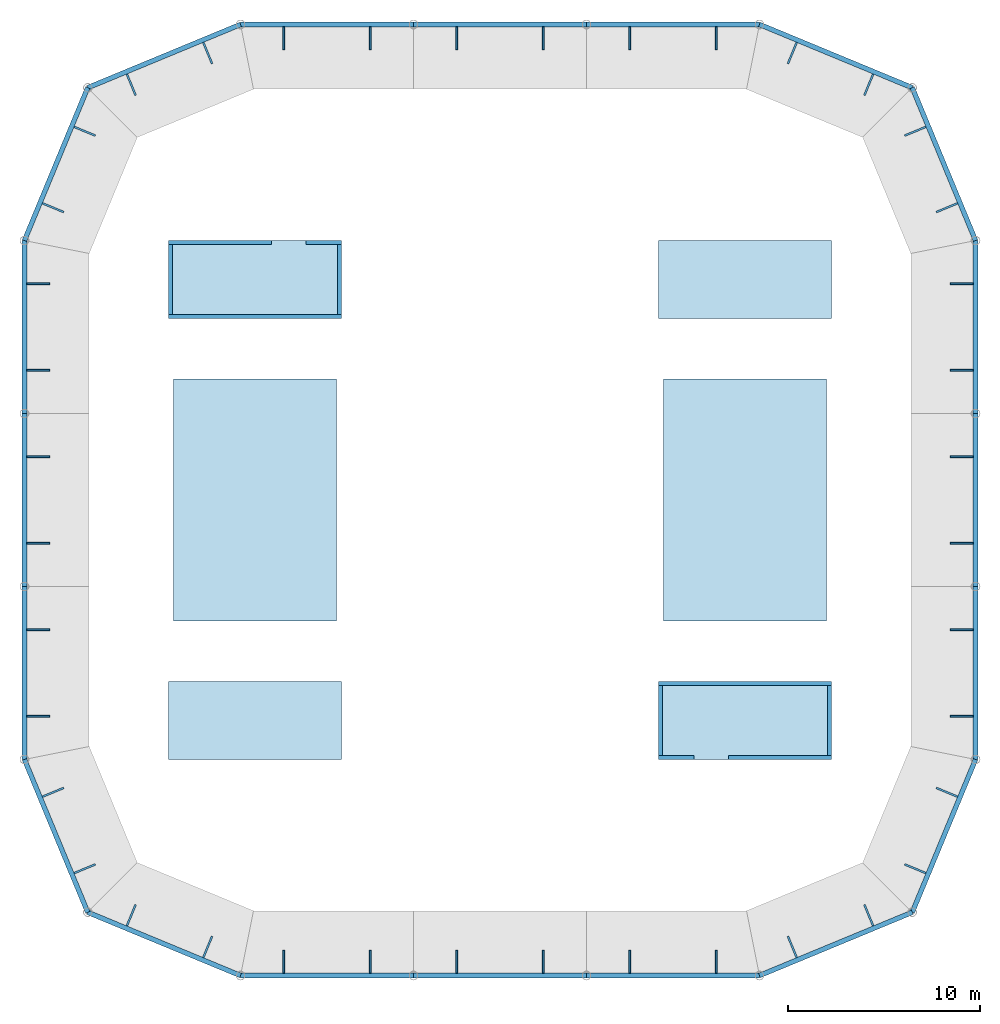
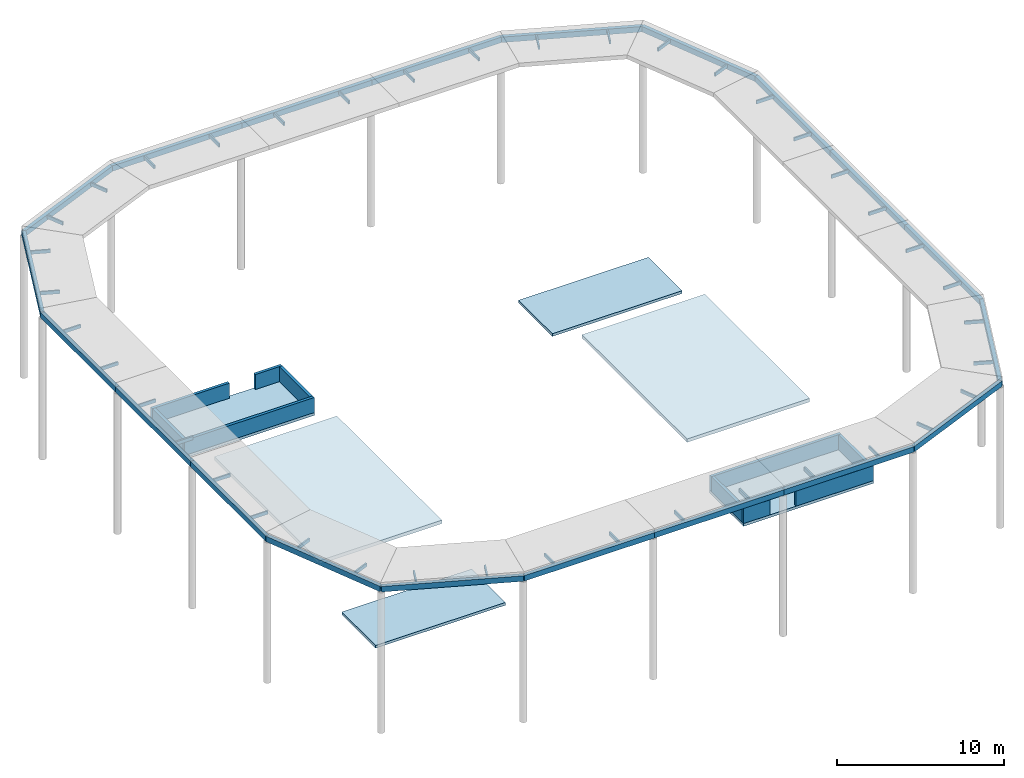
# One storey, part 3 of 4: 40 discrete accessories, 20 beams, 10 walls, 6 slabs.
"""IFC4 building model written with IfcOpenShell, lengths in metres."""

import ifcopenshell
import ifcopenshell.guid

model = None  # the IFC model being written
_history = None  # IfcOwnerHistory: only IFC2X3 demands one
_inside = {}  # id of a spatial element -> (the spatial element, [elements in it])
_under = {}  # id of a project, library or spatial element -> (it, [spatial elements below it])
_declared = {}  # id of a project -> (the project, [libraries it declares])
_typed = {}  # id of a type object -> (the type object, [elements of that type])
_made_of = {}  # id of a material, layer set ... -> (it, [elements and type objects made of it])


def new_model(schema):
    """Start an empty IFC model of exactly this schema.

    Asked for "IFC4X3", IfcOpenShell would pick the latest addendum, in which some entities
    have other attributes; the version numbers below select the first issue.
    IFC2X3 requires an IfcOwnerHistory on every rooted entity: one is made here for all.
    """
    global model, _history
    if schema == "IFC4X3":
        model = ifcopenshell.file(schema_version=(4, 3, 0, 0))
    else:
        model = ifcopenshell.file(schema=schema)
    _inside.clear()
    _under.clear()
    _declared.clear()
    _typed.clear()
    _made_of.clear()
    _history = None
    if model.schema == "IFC2X3":
        org = make("IfcOrganization", Name="unknown")
        user = make(
            "IfcPersonAndOrganization",
            ThePerson=make("IfcPerson", FamilyName="unknown"),
            TheOrganization=org,
        )
        app = make(
            "IfcApplication",
            ApplicationDeveloper=org,
            Version="unknown",
            ApplicationFullName="unknown",
            ApplicationIdentifier="unknown",
        )
        _history = make(
            "IfcOwnerHistory",
            OwningUser=user,
            OwningApplication=app,
            ChangeAction="ADDED",
            CreationDate=0,
        )
    return model


def make(cls, **values):
    """One entity of the class cls with the attributes given. An attribute that is None is left unset."""
    return model.create_entity(
        cls, **{name: value for name, value in values.items() if value is not None}
    )


def rooted(cls, **values):
    """An entity with a GlobalId (a new one), such as an element, a storey or a relation."""
    return make(cls, GlobalId=ifcopenshell.guid.new(), OwnerHistory=_history, **values)


def si_unit(unit_type, name, prefix=None):
    """IfcSIUnit, for example si_unit("LENGTHUNIT", "METRE", prefix="MILLI")."""
    return make("IfcSIUnit", UnitType=unit_type, Prefix=prefix, Name=name)


def assignment(units):
    """IfcUnitAssignment: the units of a project."""
    return None if units is None else make("IfcUnitAssignment", Units=units)


def point(xyz):
    """IfcCartesianPoint."""
    return None if xyz is None else make("IfcCartesianPoint", Coordinates=xyz)


def direction(xyz):
    """IfcDirection."""
    return None if xyz is None else make("IfcDirection", DirectionRatios=xyz)


def frame(location, z_axis=None, x_axis=None):
    """IfcAxis2Placement3D, a coordinate frame: its origin and axes. An axis left out is left unset."""
    return make(
        "IfcAxis2Placement3D",
        Location=point(location),
        Axis=direction(z_axis),
        RefDirection=direction(x_axis),
    )


def frame_2d(location, x_axis=None):
    """IfcAxis2Placement2D, a coordinate frame in the plane: its origin and x axis."""
    return make(
        "IfcAxis2Placement2D", Location=point(location), RefDirection=direction(x_axis)
    )


def origin():
    """The frame at (0, 0, 0) with its axes left unset."""
    return frame((0.0, 0.0, 0.0))


def origin_2d():
    """The frame at (0, 0) in the plane with its x axis left unset."""
    return frame_2d((0.0, 0.0))


def place(relative_to, where):
    """IfcLocalPlacement: puts the frame where relative to a parent placement (None: the world)."""
    return make(
        "IfcLocalPlacement", PlacementRelTo=relative_to, RelativePlacement=where
    )


def context(
    kind, dimensions, precision=None, world=None, true_north=None, identifier=None
):
    """IfcGeometricRepresentationContext, for example the 3D "Model" context."""
    return make(
        "IfcGeometricRepresentationContext",
        ContextIdentifier=identifier,
        ContextType=kind,
        CoordinateSpaceDimension=dimensions,
        Precision=precision,
        WorldCoordinateSystem=world,
        TrueNorth=true_north,
    )


def subcontext(parent, identifier, kind, view, scale=None):
    """IfcGeometricRepresentationSubContext, for example "Body" below "Model"."""
    return make(
        "IfcGeometricRepresentationSubContext",
        ContextIdentifier=identifier,
        ContextType=kind,
        ParentContext=parent,
        TargetScale=scale,
        TargetView=view,
    )


def project(units=None, contexts=None):
    """IfcProject with its units and contexts."""
    return rooted(
        "IfcProject",
        Name="project",
        RepresentationContexts=contexts,
        UnitsInContext=assignment(units),
    )


def spatial(cls, under=None, at=None, **own):
    """A site, building, storey or space (cls), placed at a placement, below another one or the project."""
    s = rooted(cls, ObjectPlacement=at, **own)
    if under is not None:
        _under.setdefault(under.id(), (under, []))[1].append(s)
    return s


def polyline(points):
    """IfcPolyline through the points."""
    return make("IfcPolyline", Points=[point(p) for p in points])


def profile(cls, at=None, kind="AREA", **sizes):
    """A parametric profile (cls). Its sizes go by their IFC names, for example OverallWidth=200.0."""
    return make(cls, ProfileType=kind, Position=at, **sizes)


def rectangle(**sizes):
    """IfcRectangleProfileDef."""
    return profile("IfcRectangleProfileDef", **sizes)


def hollow_rectangle(**sizes):
    """IfcRectangleHollowProfileDef."""
    return profile("IfcRectangleHollowProfileDef", **sizes)


def outline(outer, holes=None, kind="AREA"):
    """IfcArbitraryClosedProfileDef: a profile drawn as a closed curve; with holes, ...WithVoids."""
    if holes is None:
        return make("IfcArbitraryClosedProfileDef", ProfileType=kind, OuterCurve=outer)
    return make(
        "IfcArbitraryProfileDefWithVoids",
        ProfileType=kind,
        OuterCurve=outer,
        InnerCurves=holes,
    )


def extrude(swept, where, along, depth):
    """IfcExtrudedAreaSolid: the profile swept, set in the frame where, extruded along a direction by depth."""
    return make(
        "IfcExtrudedAreaSolid",
        SweptArea=swept,
        Position=where,
        ExtrudedDirection=direction(along),
        Depth=depth,
    )


def shape(context_of_items, identifier, shape_type, items):
    """IfcShapeRepresentation: the items that make up one representation, for example the "Body"."""
    return make(
        "IfcShapeRepresentation",
        ContextOfItems=context_of_items,
        RepresentationIdentifier=identifier,
        RepresentationType=shape_type,
        Items=items,
    )


def material(Name=None, Category=None):
    """IfcMaterial."""
    return make("IfcMaterial", Name=Name, Category=Category)


def layer(
    of_material, thickness, ventilated=None, Name=None, Category=None, Priority=None
):
    """IfcMaterialLayer: one layer of a wall or slab, of a material (None: an air gap)."""
    return make(
        "IfcMaterialLayer",
        Material=of_material,
        LayerThickness=thickness,
        IsVentilated=ventilated,
        Name=Name,
        Category=Category,
        Priority=Priority,
    )


def layer_set(layers, Name=None):
    """IfcMaterialLayerSet."""
    return make("IfcMaterialLayerSet", MaterialLayers=layers, LayerSetName=Name)


def material_profile(
    of_material, cross_section, Name=None, Category=None, Priority=None
):
    """IfcMaterialProfile: a cross section and its material."""
    return make(
        "IfcMaterialProfile",
        Name=Name,
        Material=of_material,
        Profile=cross_section,
        Priority=Priority,
        Category=Category,
    )


def profile_set(profiles, Name=None, composite=None):
    """IfcMaterialProfileSet."""
    return make(
        "IfcMaterialProfileSet",
        Name=Name,
        MaterialProfiles=profiles,
        CompositeProfile=composite,
    )


def made_of(thing, what):
    """Note that an element or type object is made of a material, layer set ...; save() writes the relation."""
    if what is not None:
        _made_of.setdefault(what.id(), (what, []))[1].append(thing)
    return thing


def type_object(cls, material=None, **own):
    """A type object (cls), such as IfcWallType, which elements share."""
    return made_of(rooted(cls, **own), material)


def element(
    cls,
    number,
    at=None,
    inside=None,
    cuts=None,
    type_object=None,
    material=None,
    context=None,
    identifier="Body",
    shape_type=None,
    held_by="IfcProductDefinitionShape",
    body=None,
    shapes=None,
    **own,
):
    """One element of the class cls, such as IfcWall. Its Tag is "e" and its number.

    at: its placement. inside: the storey or other place that contains it. cuts: it is an
    opening in that element (IfcRelVoidsElement). A single representation is given by context,
    identifier, shape_type and body (its items); several are given by shapes. held_by: the class
    of the entity that holds the representations. save() writes the other relations.
    """
    e = rooted(cls, Tag="e%d" % number, ObjectPlacement=at, **own)
    if body is not None:
        shapes = [shape(context, identifier, shape_type, body)]
    if shapes is not None:
        e.Representation = make(held_by, Representations=shapes)
    if inside is not None:
        _inside.setdefault(inside.id(), (inside, []))[1].append(e)
    if cuts is not None:
        rooted(
            "IfcRelVoidsElement", RelatingBuildingElement=cuts, RelatedOpeningElement=e
        )
    if type_object is not None:
        _typed.setdefault(type_object.id(), (type_object, []))[1].append(e)
    return made_of(e, material)


def aggregate(whole, parts):
    """IfcRelAggregates: a whole, such as a stair, and the parts it consists of."""
    return rooted("IfcRelAggregates", RelatingObject=whole, RelatedObjects=parts)


def save(model, path):
    """Write the relations noted so far, then the file.

    IfcRelAggregates (storeys below a building ...), IfcRelContainedInSpatialStructure (elements
    in a storey), IfcRelDefinesByType, IfcRelAssociatesMaterial and IfcRelDeclares: one each for
    every whole, place, type object, material and project.
    """
    for whole, parts in _under.values():
        aggregate(whole, parts)
    for where, things in _inside.values():
        rooted(
            "IfcRelContainedInSpatialStructure",
            RelatedElements=things,
            RelatingStructure=where,
        )
    for kind, things in _typed.values():
        rooted("IfcRelDefinesByType", RelatedObjects=things, RelatingType=kind)
    for what, things in _made_of.values():
        rooted("IfcRelAssociatesMaterial", RelatedObjects=things, RelatingMaterial=what)
    for by, libraries in _declared.values():
        rooted("IfcRelDeclares", RelatingContext=by, RelatedDefinitions=libraries)
    model.write(path)


model = new_model("IFC4")

# Units and contexts
model_context = context("Model", 3, precision=1e-05, world=origin(), true_north=direction((0.0, 1.0)))
body_context = subcontext(model_context, "Body", "Model", "MODEL_VIEW")
ifc_project = project(units=[si_unit("LENGTHUNIT", "METRE"), si_unit("AREAUNIT", "SQUARE_METRE"), si_unit("VOLUMEUNIT", "CUBIC_METRE"), si_unit("PLANEANGLEUNIT", "RADIAN"), si_unit("MASSUNIT", "GRAM", prefix="KILO")], contexts=[model_context])

# Site, building, storey
site_placement = place(None, origin())
site = spatial("IfcSite", under=ifc_project, at=site_placement, CompositionType="ELEMENT")
building_placement = place(site_placement, origin())
building = spatial("IfcBuilding", under=site, at=building_placement, Name="Siwar Civic Tower", CompositionType="ELEMENT")
storey_placement = place(building_placement, frame((0.0, 0.0, 361.199951171875)))
storey = spatial("IfcBuildingStorey", under=building, at=storey_placement, Name="UPPER ROOF", CompositionType="ELEMENT", Elevation=361.199951171875)

# Beams
ifc_material_1 = material(Name="Steel S355", Category="steel")
ifc_material_profile = material_profile(ifc_material_1, hollow_rectangle(XDim=0.25, YDim=0.39990234375, WallThickness=0.01611328125, at=origin_2d()), Name="RHS400x250x16")
ifc_profile_set = profile_set([ifc_material_profile], Name="Steel S355")
beam_type = type_object("IfcBeamType", Name="ENV-CROWN RING BEAM", PredefinedType="BEAM", material=ifc_profile_set)
for number, where, z_axis, x_axis, name in (
    (1, (-13.5, -24.75, 10.5), (1.0, 0.0, 0.0), (0.0, 1.0, 0.0), "Crown ring beam 1"),
    (2, (-4.5, -24.75, 10.5), (1.0, 0.0, 0.0), (0.0, 1.0, 0.0), "Crown ring beam 2"),
    (3, (4.5, -24.75, 10.5), (1.0, 0.0, 0.0), (0.0, 1.0, 0.0), "Crown ring beam 3"),
):
    element("IfcBeam", number, at=place(storey_placement, frame(where, z_axis=z_axis, x_axis=x_axis)), inside=storey, type_object=beam_type, Name=name, PredefinedType="BEAM", context=body_context, shape_type="SweptSolid", body=[
        extrude(hollow_rectangle(XDim=0.25, YDim=0.39990234375, WallThickness=0.01611328125, at=origin_2d()), origin(), (0.0, 0.0, 1.0), 9.0),
    ])
for number, where, z_axis, x_axis, name in (
    (4, (13.5, -24.75, 10.5), (0.923872720536, 0.382699877515, 0.0), (-0.382699877515, 0.923872720536, 0.0), "Crown ring beam 4"),
    (5, (21.454833984375, -21.454833984375, 10.5), (0.382699877515, 0.923872720536, 0.0), (-0.923872720536, 0.382699877515, 0.0), "Crown ring beam 5"),
):
    element("IfcBeam", number, at=place(storey_placement, frame(where, z_axis=z_axis, x_axis=x_axis)), inside=storey, type_object=beam_type, Name=name, PredefinedType="BEAM", context=body_context, shape_type="SweptSolid", body=[
        extrude(hollow_rectangle(XDim=0.25, YDim=0.39990234375, WallThickness=0.01611328125, at=origin_2d()), origin(), (0.0, 0.0, 1.0), 8.6103515625),
    ])
for number, where, z_axis, x_axis, name in (
    (6, (24.75, -13.5, 10.5), (0.0, 1.0, 0.0), (-1.0, 0.0, 0.0), "Crown ring beam 6"),
    (7, (24.75, -4.5, 10.5), (0.0, 1.0, 0.0), (-1.0, 0.0, 0.0), "Crown ring beam 7"),
    (8, (24.75, 4.5, 10.5), (0.0, 1.0, 0.0), (-1.0, 0.0, 0.0), "Crown ring beam 8"),
):
    element("IfcBeam", number, at=place(storey_placement, frame(where, z_axis=z_axis, x_axis=x_axis)), inside=storey, type_object=beam_type, Name=name, PredefinedType="BEAM", context=body_context, shape_type="SweptSolid", body=[
        extrude(hollow_rectangle(XDim=0.25, YDim=0.39990234375, WallThickness=0.01611328125, at=origin_2d()), origin(), (0.0, 0.0, 1.0), 9.0),
    ])
for number, where, z_axis, x_axis, name in (
    (9, (24.75, 13.5, 10.5), (-0.382699877515, 0.923872720536, 0.0), (-0.923872720536, -0.382699877515, 0.0), "Crown ring beam 9"),
    (10, (21.454833984375, 21.454833984375, 10.5), (-0.923872720536, 0.382699877515, 0.0), (-0.382699877515, -0.923872720536, 0.0), "Crown ring beam 10"),
):
    element("IfcBeam", number, at=place(storey_placement, frame(where, z_axis=z_axis, x_axis=x_axis)), inside=storey, type_object=beam_type, Name=name, PredefinedType="BEAM", context=body_context, shape_type="SweptSolid", body=[
        extrude(hollow_rectangle(XDim=0.25, YDim=0.39990234375, WallThickness=0.01611328125, at=origin_2d()), origin(), (0.0, 0.0, 1.0), 8.6103515625),
    ])
for number, where, z_axis, x_axis, name in (
    (11, (13.5, 24.75, 10.5), (-1.0, 0.0, 0.0), (0.0, -1.0, 0.0), "Crown ring beam 11"),
    (12, (4.5, 24.75, 10.5), (-1.0, 0.0, 0.0), (0.0, -1.0, 0.0), "Crown ring beam 12"),
    (13, (-4.5, 24.75, 10.5), (-1.0, 0.0, 0.0), (0.0, -1.0, 0.0), "Crown ring beam 13"),
):
    element("IfcBeam", number, at=place(storey_placement, frame(where, z_axis=z_axis, x_axis=x_axis)), inside=storey, type_object=beam_type, Name=name, PredefinedType="BEAM", context=body_context, shape_type="SweptSolid", body=[
        extrude(hollow_rectangle(XDim=0.25, YDim=0.39990234375, WallThickness=0.01611328125, at=origin_2d()), origin(), (0.0, 0.0, 1.0), 9.0),
    ])
for number, where, z_axis, x_axis, name in (
    (14, (-13.5, 24.75, 10.5), (-0.923872720536, -0.382699877515, 0.0), (0.382699877515, -0.923872720536, 0.0), "Crown ring beam 14"),
    (15, (-21.454833984375, 21.454833984375, 10.5), (-0.382699877515, -0.923872720536, 0.0), (0.923872720536, -0.382699877515, 0.0), "Crown ring beam 15"),
):
    element("IfcBeam", number, at=place(storey_placement, frame(where, z_axis=z_axis, x_axis=x_axis)), inside=storey, type_object=beam_type, Name=name, PredefinedType="BEAM", context=body_context, shape_type="SweptSolid", body=[
        extrude(hollow_rectangle(XDim=0.25, YDim=0.39990234375, WallThickness=0.01611328125, at=origin_2d()), origin(), (0.0, 0.0, 1.0), 8.6103515625),
    ])
for number, where, z_axis, x_axis, name in (
    (16, (-24.75, 13.5, 10.5), (0.0, -1.0, 0.0), (1.0, 0.0, 0.0), "Crown ring beam 16"),
    (17, (-24.75, 4.5, 10.5), (0.0, -1.0, 0.0), (1.0, 0.0, 0.0), "Crown ring beam 17"),
    (18, (-24.75, -4.5, 10.5), (0.0, -1.0, 0.0), (1.0, 0.0, 0.0), "Crown ring beam 18"),
):
    element("IfcBeam", number, at=place(storey_placement, frame(where, z_axis=z_axis, x_axis=x_axis)), inside=storey, type_object=beam_type, Name=name, PredefinedType="BEAM", context=body_context, shape_type="SweptSolid", body=[
        extrude(hollow_rectangle(XDim=0.25, YDim=0.39990234375, WallThickness=0.01611328125, at=origin_2d()), origin(), (0.0, 0.0, 1.0), 9.0),
    ])
for number, where, z_axis, x_axis, name in (
    (19, (-24.75, -13.5, 10.5), (0.382699877515, -0.923872720536, 0.0), (0.923872720536, 0.382699877515, 0.0), "Crown ring beam 19"),
    (20, (-21.454833984375, -21.454833984375, 10.5), (0.923872720536, -0.382699877515, 0.0), (0.382699877515, 0.923872720536, 0.0), "Crown ring beam 20"),
):
    element("IfcBeam", number, at=place(storey_placement, frame(where, z_axis=z_axis, x_axis=x_axis)), inside=storey, type_object=beam_type, Name=name, PredefinedType="BEAM", context=body_context, shape_type="SweptSolid", body=[
        extrude(hollow_rectangle(XDim=0.25, YDim=0.39990234375, WallThickness=0.01611328125, at=origin_2d()), origin(), (0.0, 0.0, 1.0), 8.6103515625),
    ])

# Slabs
ifc_material_2 = material(Name="Concrete C40/50", Category="concrete")
ifc_layer_1 = layer(ifc_material_2, 0.199951171875)
ifc_layer_set_1 = layer_set([ifc_layer_1], Name="Concrete C40/50")
slab_type_1 = type_object("IfcSlabType", Name="CORE-HEADHOUSE-ROOF", PredefinedType="ROOF", material=ifc_layer_set_1)
slab_1_placement = place(storey_placement, frame((0.0, 0.0, -0.199951171875)))
element("IfcSlab", 21, at=slab_1_placement, inside=storey, type_object=slab_type_1, Name="Stair head-house roof ST1", PredefinedType="ROOF", context=body_context, shape_type="SweptSolid", body=[
    extrude(outline(polyline([(-8.25, 13.5), (-17.25, 13.5), (-17.25, 9.449951171875), (-8.25, 9.449951171875), (-8.25, 13.5)])), origin(), (0.0, 0.0, 1.0), 0.199951171875),
])
slab_2_placement = place(storey_placement, frame((0.0, 0.0, -0.199951171875)))
element("IfcSlab", 22, at=slab_2_placement, inside=storey, type_object=slab_type_1, Name="Stair head-house roof ST2", PredefinedType="ROOF", context=body_context, shape_type="SweptSolid", body=[
    extrude(outline(polyline([(-8.25, -9.449951171875), (-17.25, -9.449951171875), (-17.25, -13.5), (-8.25, -13.5), (-8.25, -9.449951171875)])), origin(), (0.0, 0.0, 1.0), 0.199951171875),
])
slab_3_placement = place(storey_placement, frame((0.0, 0.0, -0.199951171875)))
element("IfcSlab", 23, at=slab_3_placement, inside=storey, type_object=slab_type_1, Name="Stair head-house roof ST3", PredefinedType="ROOF", context=body_context, shape_type="SweptSolid", body=[
    extrude(outline(polyline([(8.25, 9.449951171875), (17.25, 9.449951171875), (17.25, 13.5), (8.25, 13.5), (8.25, 9.449951171875)])), origin(), (0.0, 0.0, 1.0), 0.199951171875),
])
slab_4_placement = place(storey_placement, frame((0.0, 0.0, -0.199951171875)))
element("IfcSlab", 24, at=slab_4_placement, inside=storey, type_object=slab_type_1, Name="Stair head-house roof ST4", PredefinedType="ROOF", context=body_context, shape_type="SweptSolid", body=[
    extrude(outline(polyline([(8.25, -13.5), (17.25, -13.5), (17.25, -9.449951171875), (8.25, -9.449951171875), (8.25, -13.5)])), origin(), (0.0, 0.0, 1.0), 0.199951171875),
])
ifc_material_3 = material(Name="Concrete C40/50", Category="concrete")
ifc_layer_2 = layer(ifc_material_3, 0.25)
ifc_layer_set_2 = layer_set([ifc_layer_2], Name="Concrete C40/50")
slab_type_2 = type_object("IfcSlabType", Name="ENV-PLANT ROOF 250", PredefinedType="ROOF", material=ifc_layer_set_2)
slab_5_placement = place(storey_placement, frame((0.0, 0.0, 1.5)))
element("IfcSlab", 25, at=slab_5_placement, inside=storey, type_object=slab_type_2, Name="Roof plant roof W", PredefinedType="ROOF", context=body_context, shape_type="SweptSolid", body=[
    extrude(outline(polyline([(-17.0, -6.300048828125), (-8.5, -6.300048828125), (-8.5, 6.300048828125), (-17.0, 6.300048828125), (-17.0, -6.300048828125)])), origin(), (0.0, 0.0, 1.0), 0.25),
])
slab_6_placement = place(storey_placement, frame((0.0, 0.0, 1.5)))
element("IfcSlab", 26, at=slab_6_placement, inside=storey, type_object=slab_type_2, Name="Roof plant roof E", PredefinedType="ROOF", context=body_context, shape_type="SweptSolid", body=[
    extrude(outline(polyline([(8.5, -6.300048828125), (17.0, -6.300048828125), (17.0, 6.300048828125), (8.5, 6.300048828125), (8.5, -6.300048828125)])), origin(), (0.0, 0.0, 1.0), 0.25),
])

# Walls
ifc_material_4 = material(Name="Aluminium clad insulated panel", Category="aluminium")
ifc_layer_3 = layer(ifc_material_4, 0.199951171875)
ifc_layer_set_3 = layer_set([ifc_layer_3], Name="Aluminium clad insulated panel")
wall_type = type_object("IfcWallType", Name="CORE-HEADHOUSE-PARAPET", PredefinedType="PARAPET", material=ifc_layer_set_3)
wall_1_placement = place(storey_placement, frame((-8.25, 9.550048828125, 0.0), z_axis=(0.0, 0.0, 1.0), x_axis=(-1.0, 0.0, 0.0)))
element("IfcWall", 27, at=wall_1_placement, inside=storey, type_object=wall_type, Name="Parapet RS1", PredefinedType="PARAPET", context=body_context, shape_type="SweptSolid", body=[
    extrude(rectangle(XDim=9.0, YDim=0.199951171875, at=frame_2d((4.5, 0.0))), origin(), (0.0, 0.0, 1.0), 1.10009765625),
])
wall_2_placement = place(storey_placement, frame((-8.25, 13.39990234375, 0.0), z_axis=(0.0, 0.0, 1.0), x_axis=(-1.0, 0.0, 0.0)))
element("IfcWall", 28, at=wall_2_placement, inside=storey, type_object=wall_type, Name="Parapet RS1", PredefinedType="PARAPET", context=body_context, shape_type="SweptSolid", body=[
    extrude(rectangle(XDim=1.85009765625, YDim=0.199951171875, at=frame_2d((0.925048828125, 0.0))), origin(), (0.0, 0.0, 1.0), 1.10009765625),
])
wall_3_placement = place(storey_placement, frame((-11.89990234375, 13.39990234375, 0.0), z_axis=(0.0, 0.0, 1.0), x_axis=(-1.0, 0.0, 0.0)))
element("IfcWall", 29, at=wall_3_placement, inside=storey, type_object=wall_type, Name="Parapet RS1", PredefinedType="PARAPET", context=body_context, shape_type="SweptSolid", body=[
    extrude(rectangle(XDim=5.35009765625, YDim=0.199951171875, at=frame_2d((2.675048828125, 0.0))), origin(), (0.0, 0.0, 1.0), 1.10009765625),
])
for number, where, z_axis, x_axis, name in (
    (30, (-8.35009765625, 9.64990234375, 0.0), (0.0, 0.0, 1.0), (0.0, 1.0, 0.0), "Parapet RS1"),
    (31, (-17.14990234375, 9.64990234375, 0.0), (0.0, 0.0, 1.0), (0.0, 1.0, 0.0), "Parapet RS1"),
):
    element("IfcWall", number, at=place(storey_placement, frame(where, z_axis=z_axis, x_axis=x_axis)), inside=storey, type_object=wall_type, Name=name, PredefinedType="PARAPET", context=body_context, shape_type="SweptSolid", body=[
        extrude(rectangle(XDim=3.650146484375, YDim=0.199951171875, at=frame_2d((1.8251953125, 0.0))), origin(), (0.0, 0.0, 1.0), 1.10009765625),
    ])
wall_4_placement = place(storey_placement, frame((8.25, -9.550048828125, 0.0), z_axis=(0.0, 0.0, 1.0), x_axis=(1.0, 0.0, 0.0)))
element("IfcWall", 32, at=wall_4_placement, inside=storey, type_object=wall_type, Name="Parapet RS2", PredefinedType="PARAPET", context=body_context, shape_type="SweptSolid", body=[
    extrude(rectangle(XDim=9.0, YDim=0.199951171875, at=frame_2d((4.5, 0.0))), origin(), (0.0, 0.0, 1.0), 1.10009765625),
])
wall_5_placement = place(storey_placement, frame((8.25, -13.39990234375, 0.0), z_axis=(0.0, 0.0, 1.0), x_axis=(1.0, 0.0, 0.0)))
element("IfcWall", 33, at=wall_5_placement, inside=storey, type_object=wall_type, Name="Parapet RS2", PredefinedType="PARAPET", context=body_context, shape_type="SweptSolid", body=[
    extrude(rectangle(XDim=1.85009765625, YDim=0.199951171875, at=frame_2d((0.925048828125, 0.0))), origin(), (0.0, 0.0, 1.0), 1.10009765625),
])
wall_6_placement = place(storey_placement, frame((11.89990234375, -13.39990234375, 0.0), z_axis=(0.0, 0.0, 1.0), x_axis=(1.0, 0.0, 0.0)))
element("IfcWall", 34, at=wall_6_placement, inside=storey, type_object=wall_type, Name="Parapet RS2", PredefinedType="PARAPET", context=body_context, shape_type="SweptSolid", body=[
    extrude(rectangle(XDim=5.35009765625, YDim=0.199951171875, at=frame_2d((2.675048828125, 0.0))), origin(), (0.0, 0.0, 1.0), 1.10009765625),
])
for number, where, z_axis, x_axis, name in (
    (35, (8.35009765625, -9.64990234375, 0.0), (0.0, 0.0, 1.0), (0.0, -1.0, 0.0), "Parapet RS2"),
    (36, (17.14990234375, -9.64990234375, 0.0), (0.0, 0.0, 1.0), (0.0, -1.0, 0.0), "Parapet RS2"),
):
    element("IfcWall", number, at=place(storey_placement, frame(where, z_axis=z_axis, x_axis=x_axis)), inside=storey, type_object=wall_type, Name=name, PredefinedType="PARAPET", context=body_context, shape_type="SweptSolid", body=[
        extrude(rectangle(XDim=3.650146484375, YDim=0.199951171875, at=frame_2d((1.8251953125, 0.0))), origin(), (0.0, 0.0, 1.0), 1.10009765625),
    ])

# Discrete accessories
ifc_material_5 = material(Name="Stainless steel 316", Category="steel")
discrete_accessory_type = type_object("IfcDiscreteAccessoryType", Name="ENV-BRACKET", PredefinedType="BRACKET", material=ifc_material_5)
for number, where, z_axis, x_axis, name in (
    (37, (-11.25, -24.02490234375, 10.449951171875), (0.0, 0.0, 1.0), (1.0, 0.0, 0.0), "Bracket canopy rim 1.1"),
    (38, (-6.75, -24.02490234375, 10.449951171875), (0.0, 0.0, 1.0), (1.0, 0.0, 0.0), "Bracket canopy rim 1.2"),
    (39, (-2.25, -24.02490234375, 10.449951171875), (0.0, 0.0, 1.0), (1.0, 0.0, 0.0), "Bracket canopy rim 2.1"),
    (40, (2.25, -24.02490234375, 10.449951171875), (0.0, 0.0, 1.0), (1.0, 0.0, 0.0), "Bracket canopy rim 2.2"),
    (41, (6.75, -24.02490234375, 10.449951171875), (0.0, 0.0, 1.0), (1.0, 0.0, 0.0), "Bracket canopy rim 3.1"),
    (42, (11.25, -24.02490234375, 10.449951171875), (0.0, 0.0, 1.0), (1.0, 0.0, 0.0), "Bracket canopy rim 3.2"),
    (43, (15.211181640625, -23.25634765625, 10.449951171875), (0.0, 0.0, 1.0), (0.923879515767, 0.38268347279, 0.0), "Bracket canopy rim 4.1"),
    (44, (19.188720703125, -21.60888671875, 10.449951171875), (0.0, 0.0, 1.0), (0.923879515767, 0.38268347279, 0.0), "Bracket canopy rim 4.2"),
    (45, (21.60888671875, -19.188720703125, 10.449951171875), (0.0, 0.0, 1.0), (0.38268347279, 0.923879515767, 0.0), "Bracket canopy rim 5.1"),
    (46, (23.25634765625, -15.211181640625, 10.449951171875), (0.0, 0.0, 1.0), (0.38268347279, 0.923879515767, 0.0), "Bracket canopy rim 5.2"),
    (47, (24.02490234375, -11.25, 10.449951171875), (0.0, 0.0, 1.0), (0.0, 1.0, 0.0), "Bracket canopy rim 6.1"),
    (48, (24.02490234375, -6.75, 10.449951171875), (0.0, 0.0, 1.0), (0.0, 1.0, 0.0), "Bracket canopy rim 6.2"),
    (49, (24.02490234375, -2.25, 10.449951171875), (0.0, 0.0, 1.0), (0.0, 1.0, 0.0), "Bracket canopy rim 7.1"),
    (50, (24.02490234375, 2.25, 10.449951171875), (0.0, 0.0, 1.0), (0.0, 1.0, 0.0), "Bracket canopy rim 7.2"),
    (51, (24.02490234375, 6.75, 10.449951171875), (0.0, 0.0, 1.0), (0.0, 1.0, 0.0), "Bracket canopy rim 8.1"),
    (52, (24.02490234375, 11.25, 10.449951171875), (0.0, 0.0, 1.0), (0.0, 1.0, 0.0), "Bracket canopy rim 8.2"),
    (53, (23.25634765625, 15.211181640625, 10.449951171875), (0.0, 0.0, 1.0), (-0.38268347279, 0.923879515767, 0.0), "Bracket canopy rim 9.1"),
    (54, (21.60888671875, 19.188720703125, 10.449951171875), (0.0, 0.0, 1.0), (-0.38268347279, 0.923879515767, 0.0), "Bracket canopy rim 9.2"),
    (55, (19.188720703125, 21.60888671875, 10.449951171875), (0.0, 0.0, 1.0), (-0.923879515767, 0.38268347279, 0.0), "Bracket canopy rim 10.1"),
    (56, (15.211181640625, 23.25634765625, 10.449951171875), (0.0, 0.0, 1.0), (-0.923879515767, 0.38268347279, 0.0), "Bracket canopy rim 10.2"),
    (57, (11.25, 24.02490234375, 10.449951171875), (0.0, 0.0, 1.0), (-1.0, 0.0, 0.0), "Bracket canopy rim 11.1"),
    (58, (6.75, 24.02490234375, 10.449951171875), (0.0, 0.0, 1.0), (-1.0, 0.0, 0.0), "Bracket canopy rim 11.2"),
    (59, (2.25, 24.02490234375, 10.449951171875), (0.0, 0.0, 1.0), (-1.0, 0.0, 0.0), "Bracket canopy rim 12.1"),
    (60, (-2.25, 24.02490234375, 10.449951171875), (0.0, 0.0, 1.0), (-1.0, 0.0, 0.0), "Bracket canopy rim 12.2"),
    (61, (-6.75, 24.02490234375, 10.449951171875), (0.0, 0.0, 1.0), (-1.0, 0.0, 0.0), "Bracket canopy rim 13.1"),
    (62, (-11.25, 24.02490234375, 10.449951171875), (0.0, 0.0, 1.0), (-1.0, 0.0, 0.0), "Bracket canopy rim 13.2"),
    (63, (-15.211181640625, 23.25634765625, 10.449951171875), (0.0, 0.0, 1.0), (-0.923879515767, -0.38268347279, 0.0), "Bracket canopy rim 14.1"),
    (64, (-19.188720703125, 21.60888671875, 10.449951171875), (0.0, 0.0, 1.0), (-0.923879515767, -0.38268347279, 0.0), "Bracket canopy rim 14.2"),
    (65, (-21.60888671875, 19.188720703125, 10.449951171875), (0.0, 0.0, 1.0), (-0.38268347279, -0.923879515767, 0.0), "Bracket canopy rim 15.1"),
    (66, (-23.25634765625, 15.211181640625, 10.449951171875), (0.0, 0.0, 1.0), (-0.38268347279, -0.923879515767, 0.0), "Bracket canopy rim 15.2"),
    (67, (-24.02490234375, 11.25, 10.449951171875), (0.0, 0.0, 1.0), (0.0, -1.0, 0.0), "Bracket canopy rim 16.1"),
    (68, (-24.02490234375, 6.75, 10.449951171875), (0.0, 0.0, 1.0), (0.0, -1.0, 0.0), "Bracket canopy rim 16.2"),
    (69, (-24.02490234375, 2.25, 10.449951171875), (0.0, 0.0, 1.0), (0.0, -1.0, 0.0), "Bracket canopy rim 17.1"),
    (70, (-24.02490234375, -2.25, 10.449951171875), (0.0, 0.0, 1.0), (0.0, -1.0, 0.0), "Bracket canopy rim 17.2"),
    (71, (-24.02490234375, -6.75, 10.449951171875), (0.0, 0.0, 1.0), (0.0, -1.0, 0.0), "Bracket canopy rim 18.1"),
    (72, (-24.02490234375, -11.25, 10.449951171875), (0.0, 0.0, 1.0), (0.0, -1.0, 0.0), "Bracket canopy rim 18.2"),
    (73, (-23.25634765625, -15.211181640625, 10.449951171875), (0.0, 0.0, 1.0), (0.38268347279, -0.923879515767, 0.0), "Bracket canopy rim 19.1"),
    (74, (-21.60888671875, -19.188720703125, 10.449951171875), (0.0, 0.0, 1.0), (0.38268347279, -0.923879515767, 0.0), "Bracket canopy rim 19.2"),
    (75, (-19.188720703125, -21.60888671875, 10.449951171875), (0.0, 0.0, 1.0), (0.923879515767, -0.38268347279, 0.0), "Bracket canopy rim 20.1"),
    (76, (-15.211181640625, -23.25634765625, 10.449951171875), (0.0, 0.0, 1.0), (0.923879515767, -0.38268347279, 0.0), "Bracket canopy rim 20.2"),
):
    element("IfcDiscreteAccessory", number, at=place(storey_placement, frame(where, z_axis=z_axis, x_axis=x_axis)), inside=storey, type_object=discrete_accessory_type, Name=name, PredefinedType="BRACKET", context=body_context, shape_type="SweptSolid", body=[
        extrude(rectangle(XDim=0.10009765625, YDim=1.199951171875, at=origin_2d()), origin(), (0.0, 0.0, 1.0), 0.25),
    ])

save(model, "model.ifc")
